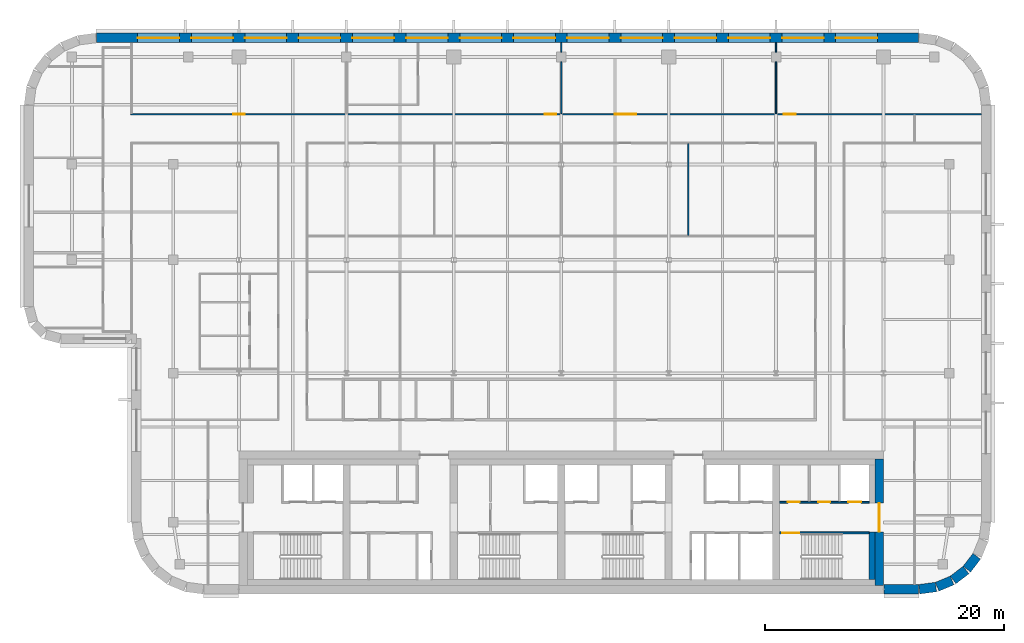
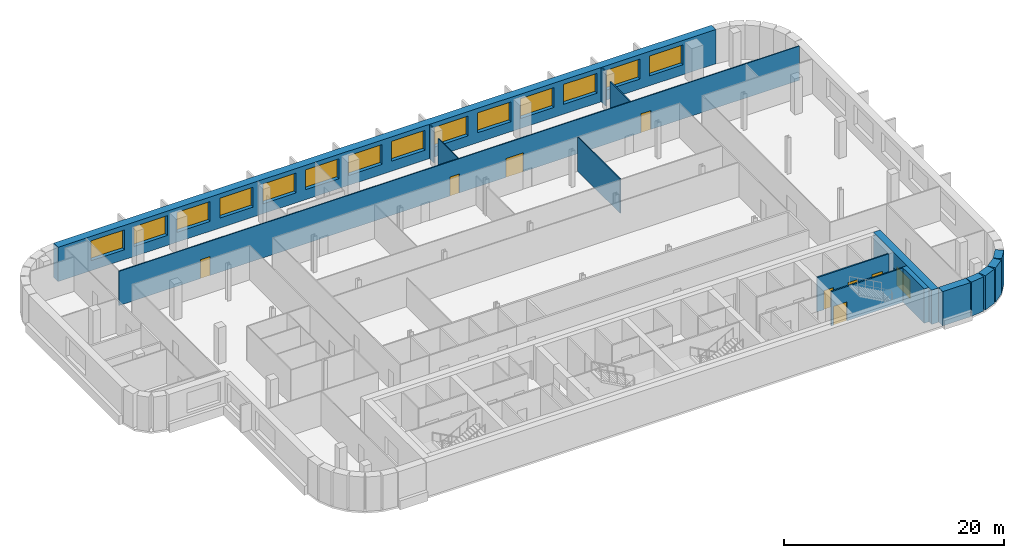
# One storey, part 11 of 16: 16 walls, 14 windows, 9 doors, 23 openings.
"""IFC4 building model written with IfcOpenShell, lengths in metres."""

from ifc_helpers import new_model, si_unit, direction, frame, frame_2d, origin, place, context, subcontext, project, spatial, rectangle, extrude, material, layer, layer_set, type_object, element, fill, save


model = new_model("IFC4")

# Units and contexts
model_context = context("Model", 3, precision=1e-05, world=origin(), true_north=direction((0.0, 1.0)))
body_context = subcontext(model_context, "Body", "Model", "MODEL_VIEW")
ifc_project = project(units=[si_unit("LENGTHUNIT", "METRE"), si_unit("AREAUNIT", "SQUARE_METRE"), si_unit("VOLUMEUNIT", "CUBIC_METRE"), si_unit("PLANEANGLEUNIT", "RADIAN"), si_unit("MASSUNIT", "GRAM", prefix="KILO")], contexts=[model_context])

# Site, building, storey
site_placement = place(None, origin())
site = spatial("IfcSite", under=ifc_project, at=site_placement, CompositionType="ELEMENT")
building_placement = place(site_placement, origin())
building = spatial("IfcBuilding", under=site, at=building_placement, Name="Zellij Exchange Tower", CompositionType="ELEMENT")
storey_placement = place(building_placement, frame((0.0, 0.0, 236.5)))
storey = spatial("IfcBuildingStorey", under=building, at=storey_placement, Name="L55", CompositionType="ELEMENT", Elevation=236.5)

# Wall
ifc_material_1 = material(Name="Concrete C30/37", Category="concrete")
ifc_layer_1 = layer(ifc_material_1, 0.5)
ifc_layer_set_1 = layer_set([ifc_layer_1], Name="Concrete C30/37")
wall_type_1 = type_object("IfcWallType", Name="CORE-LW 500 C30/37", PredefinedType="SHEAR", material=ifc_layer_set_1)
wall_1_placement = place(storey_placement, frame((26.050048828125, -12.800048828125, 0.0), z_axis=(0.0, 0.0, 1.0), x_axis=(0.0, 1.0, 0.0)))
element("IfcWall", 1, at=wall_1_placement, inside=storey, type_object=wall_type_1, Name="Core wall lining end e.0 L55", PredefinedType="SHEAR", context=body_context, shape_type="SweptSolid", body=[
    extrude(rectangle(XDim=4.0, YDim=0.5, at=frame_2d((2.0, 0.0))), origin(), (0.0, 0.0, 1.0), 3.800048828125),
])

# Wall, openings, doors
ifc_material_2 = material(Name="Gypsum shaft wall system")
ifc_layer_2 = layer(ifc_material_2, 0.14990234375)
ifc_layer_set_2 = layer_set([ifc_layer_2], Name="Gypsum shaft wall system")
wall_type_2 = type_object("IfcWallType", Name="CORE-PW 150 Lift shaft wall", PredefinedType="PARTITIONING", material=ifc_layer_set_2)
wall_2_placement = place(storey_placement, frame((18.300048828125, -6.300048828125, 0.0), z_axis=(0.0, 0.0, 1.0), x_axis=(1.0, 0.0, 0.0)))
wall_2 = element("IfcWall", 2, at=wall_2_placement, inside=storey, type_object=wall_type_2, Name="Lift shaft wall L55", PredefinedType="PARTITIONING", context=body_context, shape_type="SweptSolid", body=[
    extrude(rectangle(XDim=7.5, YDim=0.14990234375, at=frame_2d((3.75, 0.0))), origin(), (0.0, 0.0, 1.0), 3.800048828125),
])
opening_1_placement = place(wall_2_placement, frame((0.699951171875, 0.0, 0.0)))
opening_1 = element("IfcOpeningElement", 3, at=opening_1_placement, cuts=wall_2, Name="Opening CA-29.25", PredefinedType="OPENING", context=body_context, shape_type="SweptSolid", body=[
    extrude(rectangle(XDim=1.0, YDim=2.10009765625, at=frame_2d((0.5, 1.050048828125))), frame((0.0, 0.0869140625, 0.0), z_axis=(0.0, -1.0, 0.0), x_axis=(1.0, 0.0, 0.0)), (0.0, 0.0, 1.0), 0.173828125),
])
opening_2_placement = place(wall_2_placement, frame((3.25, 0.0, 0.0)))
opening_2 = element("IfcOpeningElement", 4, at=opening_2_placement, cuts=wall_2, Name="Opening CA-29.26", PredefinedType="OPENING", context=body_context, shape_type="SweptSolid", body=[
    extrude(rectangle(XDim=1.0, YDim=2.10009765625, at=frame_2d((0.5, 1.050048828125))), frame((0.0, 0.0869140625, 0.0), z_axis=(0.0, -1.0, 0.0), x_axis=(1.0, 0.0, 0.0)), (0.0, 0.0, 1.0), 0.173828125),
])
opening_3_placement = place(wall_2_placement, frame((5.75, 0.0, 0.0)))
opening_3 = element("IfcOpeningElement", 5, at=opening_3_placement, cuts=wall_2, Name="Opening CA-29.27", PredefinedType="OPENING", context=body_context, shape_type="SweptSolid", body=[
    extrude(rectangle(XDim=1.10009765625, YDim=2.10009765625, at=frame_2d((0.550048828125, 1.050048828125))), frame((0.0, 0.0869140625, 0.0), z_axis=(0.0, -1.0, 0.0), x_axis=(1.0, 0.0, 0.0)), (0.0, 0.0, 1.0), 0.173828125),
])
ifc_material_3 = material(Name="Hollow metal fire door")
door_type_1 = type_object("IfcDoorType", Name="CORE-D CD Core room door 1000x2100 1 HR", OperationType="NOTDEFINED", PredefinedType="DOOR", material=ifc_material_3)
door_1_placement = place(opening_1_placement, origin())
door_1 = element("IfcDoor", 6, at=door_1_placement, inside=storey, type_object=door_type_1, Name="Core room door CA-29.25", OperationType="SINGLE_SWING_LEFT", OverallHeight=2.10009765625, OverallWidth=1.0, PredefinedType="DOOR", context=body_context, shape_type="SweptSolid", body=[
    extrude(rectangle(XDim=1.0, YDim=2.10009765625, at=frame_2d((0.5, 1.050048828125))), frame((0.0, 0.02490234375, 0.0), z_axis=(0.0, -1.0, 0.0), x_axis=(1.0, 0.0, 0.0)), (0.0, 0.0, 1.0), 0.050048828125),
])
fill(opening_1, door_1)
door_type_2 = type_object("IfcDoorType", Name="CORE-D CDA Core room door 1000x2100 1.5 HR", OperationType="NOTDEFINED", PredefinedType="DOOR", material=ifc_material_3)
door_2_placement = place(opening_2_placement, origin())
door_2 = element("IfcDoor", 7, at=door_2_placement, inside=storey, type_object=door_type_2, Name="Core room door CA-29.26", OperationType="SINGLE_SWING_LEFT", OverallHeight=2.10009765625, OverallWidth=1.0, PredefinedType="DOOR", context=body_context, shape_type="SweptSolid", body=[
    extrude(rectangle(XDim=1.0, YDim=2.10009765625, at=frame_2d((0.5, 1.050048828125))), frame((0.0, 0.02490234375, 0.0), z_axis=(0.0, -1.0, 0.0), x_axis=(1.0, 0.0, 0.0)), (0.0, 0.0, 1.0), 0.050048828125),
])
fill(opening_2, door_2)
door_type_3 = type_object("IfcDoorType", Name="CORE-D LD Lift landing door 1100x2100 1.5 HR", OperationType="NOTDEFINED", PredefinedType="DOOR", material=ifc_material_3)
door_3_placement = place(opening_3_placement, origin())
door_3 = element("IfcDoor", 8, at=door_3_placement, inside=storey, type_object=door_type_3, Name="Lift landing door CA-29.27", OperationType="SLIDING_TO_LEFT", OverallHeight=2.10009765625, OverallWidth=1.10009765625, PredefinedType="DOOR", context=body_context, shape_type="SweptSolid", body=[
    extrude(rectangle(XDim=1.10009765625, YDim=2.10009765625, at=frame_2d((0.550048828125, 1.050048828125))), frame((0.0, 0.02490234375, 0.0), z_axis=(0.0, -1.0, 0.0), x_axis=(1.0, 0.0, 0.0)), (0.0, 0.0, 1.0), 0.050048828125),
])
fill(opening_3, door_3)

# Wall, opening, door
ifc_material_4 = material(Name="Concrete C50/60", Category="concrete")
ifc_layer_3 = layer(ifc_material_4, 0.699951171875)
ifc_layer_set_3 = layer_set([ifc_layer_3], Name="Concrete C50/60")
wall_type_3 = type_object("IfcWallType", Name="CORE-SW 700 C50/60", PredefinedType="SHEAR", material=ifc_layer_set_3)
wall_3_placement = place(storey_placement, frame((26.64990234375, -13.300048828125, 0.0), z_axis=(0.0, 0.0, 1.0), x_axis=(0.0, 1.0, 0.0)))
wall_3 = element("IfcWall", 9, at=wall_3_placement, inside=storey, type_object=wall_type_3, Name="Core shear wall end e L55", PredefinedType="SHEAR", context=body_context, shape_type="SweptSolid", body=[
    extrude(rectangle(XDim=10.60009765625, YDim=0.699951171875, at=frame_2d((5.300048828125, 0.0))), origin(), (0.0, 0.0, 1.0), 3.800048828125),
])
opening_4_placement = place(wall_3_placement, frame((4.511962890625, 0.0, 0.0)))
opening_4 = element("IfcOpeningElement", 10, at=opening_4_placement, cuts=wall_3, Name="Opening CA-29.28", PredefinedType="OPENING", context=body_context, shape_type="SweptSolid", body=[
    extrude(rectangle(XDim=2.39990234375, YDim=2.10009765625, at=frame_2d((1.199951171875, 1.050048828125))), frame((0.0, 0.36181640625, 0.0), z_axis=(0.0, -1.0, 0.0), x_axis=(1.0, 0.0, 0.0)), (0.0, 0.0, 1.0), 0.723876953125),
])
door_type_4 = type_object("IfcDoorType", Name="CORE-D CE Core entrance door 2400x2100 20 MIN", OperationType="NOTDEFINED", PredefinedType="DOOR", material=ifc_material_3)
door_4_placement = place(opening_4_placement, origin())
door_4 = element("IfcDoor", 11, at=door_4_placement, inside=storey, type_object=door_type_4, Name="Core entrance door CA-29.28", OperationType="DOUBLE_DOOR_SINGLE_SWING", OverallHeight=2.10009765625, OverallWidth=2.39990234375, PredefinedType="DOOR", context=body_context, shape_type="SweptSolid", body=[
    extrude(rectangle(XDim=2.39990234375, YDim=2.10009765625, at=frame_2d((1.199951171875, 1.050048828125))), frame((0.0, 0.02490234375, 0.0), z_axis=(0.0, -1.0, 0.0), x_axis=(1.0, 0.0, 0.0)), (0.0, 0.0, 1.0), 0.050048828125),
])
fill(opening_4, door_4)

ifc_layer_4 = layer(ifc_material_4, 0.14990234375)
ifc_layer_set_4 = layer_set([ifc_layer_4], Name="Concrete C50/60")
wall_type_4 = type_object("IfcWallType", Name="CORE-SWS 150 C50/60", PredefinedType="SHEAR", material=ifc_layer_set_4)
wall_4_placement = place(storey_placement, frame((18.300048828125, -8.875, 0.0), z_axis=(0.0, 0.0, 1.0), x_axis=(1.0, 0.0, 0.0)))
wall_4 = element("IfcWall", 12, at=wall_4_placement, inside=storey, type_object=wall_type_4, Name="Stair enclosure wall L55", PredefinedType="SHEAR", context=body_context, shape_type="SweptSolid", body=[
    extrude(rectangle(XDim=7.5, YDim=0.14990234375, at=frame_2d((3.75, 0.0))), origin(), (0.0, 0.0, 1.0), 3.800048828125),
])
opening_5_placement = place(wall_4_placement, frame((0.22509765625, 0.0, 0.0)))
opening_5 = element("IfcOpeningElement", 13, at=opening_5_placement, cuts=wall_4, Name="Opening CA-29.24", PredefinedType="OPENING", context=body_context, shape_type="SweptSolid", body=[
    extrude(rectangle(XDim=1.39990234375, YDim=2.10009765625, at=frame_2d((0.699951171875, 1.050048828125))), frame((0.0, 0.0869140625, 0.0), z_axis=(0.0, -1.0, 0.0), x_axis=(1.0, 0.0, 0.0)), (0.0, 0.0, 1.0), 0.173828125),
])
door_type_5 = type_object("IfcDoorType", Name="CORE-D SD Stair door 1400x2100 1.5 HR", OperationType="NOTDEFINED", PredefinedType="DOOR", material=ifc_material_3)
door_5_placement = place(opening_5_placement, origin())
door_5 = element("IfcDoor", 14, at=door_5_placement, inside=storey, type_object=door_type_5, Name="Stair door CA-29.24", OperationType="DOUBLE_DOOR_SINGLE_SWING", OverallHeight=2.10009765625, OverallWidth=1.39990234375, PredefinedType="DOOR", context=body_context, shape_type="SweptSolid", body=[
    extrude(rectangle(XDim=1.39990234375, YDim=2.10009765625, at=frame_2d((0.699951171875, 1.050048828125))), frame((0.0, 0.02490234375, 0.0), z_axis=(0.0, -1.0, 0.0), x_axis=(1.0, 0.0, 0.0)), (0.0, 0.0, 1.0), 0.050048828125),
])
fill(opening_5, door_5)

# Walls
ifc_material_5 = material(Name="Precast concrete C40/50", Category="concrete")
ifc_layer_5 = layer(ifc_material_5, 0.800048828125)
ifc_layer_set_5 = layer_set([ifc_layer_5], Name="Precast concrete C40/50")
wall_type_5 = type_object("IfcWallType", Name="ENV-EW1 Precast stone-piered wall 800", PredefinedType="SOLIDWALL", material=ifc_layer_set_5)
wall_5_placement = place(storey_placement, frame((27.050048828125, -13.60009765625, 0.0), z_axis=(0.0, 0.0, 1.0), x_axis=(1.0, 0.0, 0.0)))
element("IfcWall", 15, at=wall_5_placement, inside=storey, type_object=wall_type_5, Name="fac.L55.00b", PredefinedType="SOLIDWALL", context=body_context, shape_type="SweptSolid", body=[
    extrude(rectangle(XDim=2.8974609375, YDim=0.800048828125, at=frame_2d((1.44873046875, 0.0))), origin(), (0.0, 0.0, 1.0), 3.800048828125),
])
wall_6_placement = place(storey_placement, frame((29.999755859375, -13.5966796875, 0.0), z_axis=(0.0, 0.0, 1.0), x_axis=(0.99144603414, 0.130517283865, 0.0)))
element("IfcWall", 16, at=wall_6_placement, inside=storey, type_object=wall_type_5, Name="fac.L55.01", PredefinedType="SOLIDWALL", context=body_context, shape_type="SweptSolid", body=[
    extrude(rectangle(XDim=1.408447265625, YDim=0.800048828125, at=frame_2d((0.7041015625, 0.0))), origin(), (0.0, 0.0, 1.0), 3.800048828125),
])
wall_7_placement = place(storey_placement, frame((31.497314453125, -13.3857421875, 0.0), z_axis=(0.0, 0.0, 1.0), x_axis=(0.923847774587, 0.38276009378, 0.0)))
element("IfcWall", 17, at=wall_7_placement, inside=storey, type_object=wall_type_5, Name="fac.L55.02", PredefinedType="SOLIDWALL", context=body_context, shape_type="SweptSolid", body=[
    extrude(rectangle(XDim=1.35546875, YDim=0.800048828125, at=frame_2d((0.677734375, 0.0))), origin(), (0.0, 0.0, 1.0), 3.800048828125),
])
for number, where, z_axis, x_axis, name in (
    (18, (32.840087890625, -12.814697265625, 0.0), (0.0, 0.0, 1.0), (0.793272915452, 0.608866226366, 0.0), "fac.L55.03"),
    (19, (33.9892578125, -11.91552734375, 0.0), (0.0, 0.0, 1.0), (0.608866226366, 0.793272915452, 0.0), "fac.L55.04"),
):
    element("IfcWall", number, at=place(storey_placement, frame(where, z_axis=z_axis, x_axis=x_axis)), inside=storey, type_object=wall_type_5, Name=name, PredefinedType="SOLIDWALL", context=body_context, shape_type="SweptSolid", body=[
        extrude(rectangle(XDim=1.355712890625, YDim=0.800048828125, at=frame_2d((0.677734375, 0.0))), origin(), (0.0, 0.0, 1.0), 3.800048828125),
    ])

# Wall, openings, windows
wall_8_placement = place(storey_placement, frame((29.947509765625, 32.60009765625, 0.0), z_axis=(0.0, 0.0, 1.0), x_axis=(-1.0, 0.0, 0.0)))
wall_8 = element("IfcWall", 20, at=wall_8_placement, inside=storey, type_object=wall_type_5, Name="fac.L55.14", PredefinedType="SOLIDWALL", context=body_context, shape_type="SweptSolid", body=[
    extrude(rectangle(XDim=68.89501953125, YDim=0.800048828125, at=frame_2d((34.447509765625, 0.0))), origin(), (0.0, 0.0, 1.0), 3.800048828125),
])
opening_6_placement = place(wall_8_placement, frame((3.447509765625, 0.0, 1.10009765625)))
opening_6 = element("IfcOpeningElement", 21, at=opening_6_placement, cuts=wall_8, Name="Opening FZ4.06", PredefinedType="OPENING", context=body_context, shape_type="SweptSolid", body=[
    extrude(rectangle(XDim=3.5, YDim=2.199951171875, at=frame_2d((1.75, 1.10009765625))), frame((0.0, 0.412109375, 0.0), z_axis=(0.0, -1.0, 0.0), x_axis=(1.0, 0.0, 0.0)), (0.0, 0.0, 1.0), 0.823974609375),
])
opening_7_placement = place(wall_8_placement, frame((7.947509765625, 0.0, 1.10009765625)))
opening_7 = element("IfcOpeningElement", 22, at=opening_7_placement, cuts=wall_8, Name="Opening FZ4.07", PredefinedType="OPENING", context=body_context, shape_type="SweptSolid", body=[
    extrude(rectangle(XDim=3.5, YDim=2.199951171875, at=frame_2d((1.75, 1.10009765625))), frame((0.0, 0.412109375, 0.0), z_axis=(0.0, -1.0, 0.0), x_axis=(1.0, 0.0, 0.0)), (0.0, 0.0, 1.0), 0.823974609375),
])
opening_8_placement = place(wall_8_placement, frame((12.447509765625, 0.0, 1.10009765625)))
opening_8 = element("IfcOpeningElement", 23, at=opening_8_placement, cuts=wall_8, Name="Opening FZ4.08", PredefinedType="OPENING", context=body_context, shape_type="SweptSolid", body=[
    extrude(rectangle(XDim=3.5, YDim=2.199951171875, at=frame_2d((1.75, 1.10009765625))), frame((0.0, 0.412109375, 0.0), z_axis=(0.0, -1.0, 0.0), x_axis=(1.0, 0.0, 0.0)), (0.0, 0.0, 1.0), 0.823974609375),
])
opening_9_placement = place(wall_8_placement, frame((16.947509765625, 0.0, 1.10009765625)))
opening_9 = element("IfcOpeningElement", 24, at=opening_9_placement, cuts=wall_8, Name="Opening FZ4.09", PredefinedType="OPENING", context=body_context, shape_type="SweptSolid", body=[
    extrude(rectangle(XDim=3.5, YDim=2.199951171875, at=frame_2d((1.75, 1.10009765625))), frame((0.0, 0.412109375, 0.0), z_axis=(0.0, -1.0, 0.0), x_axis=(1.0, 0.0, 0.0)), (0.0, 0.0, 1.0), 0.823974609375),
])
opening_10_placement = place(wall_8_placement, frame((21.447509765625, 0.0, 1.10009765625)))
opening_10 = element("IfcOpeningElement", 25, at=opening_10_placement, cuts=wall_8, Name="Opening FZ4.10", PredefinedType="OPENING", context=body_context, shape_type="SweptSolid", body=[
    extrude(rectangle(XDim=3.5, YDim=2.199951171875, at=frame_2d((1.75, 1.10009765625))), frame((0.0, 0.412109375, 0.0), z_axis=(0.0, -1.0, 0.0), x_axis=(1.0, 0.0, 0.0)), (0.0, 0.0, 1.0), 0.823974609375),
])
opening_11_placement = place(wall_8_placement, frame((25.947509765625, 0.0, 1.10009765625)))
opening_11 = element("IfcOpeningElement", 26, at=opening_11_placement, cuts=wall_8, Name="Opening FZ4.11", PredefinedType="OPENING", context=body_context, shape_type="SweptSolid", body=[
    extrude(rectangle(XDim=3.5, YDim=2.199951171875, at=frame_2d((1.75, 1.10009765625))), frame((0.0, 0.412109375, 0.0), z_axis=(0.0, -1.0, 0.0), x_axis=(1.0, 0.0, 0.0)), (0.0, 0.0, 1.0), 0.823974609375),
])
opening_12_placement = place(wall_8_placement, frame((30.447509765625, 0.0, 1.10009765625)))
opening_12 = element("IfcOpeningElement", 27, at=opening_12_placement, cuts=wall_8, Name="Opening FZ4.12", PredefinedType="OPENING", context=body_context, shape_type="SweptSolid", body=[
    extrude(rectangle(XDim=3.5, YDim=2.199951171875, at=frame_2d((1.75, 1.10009765625))), frame((0.0, 0.412109375, 0.0), z_axis=(0.0, -1.0, 0.0), x_axis=(1.0, 0.0, 0.0)), (0.0, 0.0, 1.0), 0.823974609375),
])
opening_13_placement = place(wall_8_placement, frame((34.947509765625, 0.0, 1.10009765625)))
opening_13 = element("IfcOpeningElement", 28, at=opening_13_placement, cuts=wall_8, Name="Opening FZ4.13", PredefinedType="OPENING", context=body_context, shape_type="SweptSolid", body=[
    extrude(rectangle(XDim=3.5, YDim=2.199951171875, at=frame_2d((1.75, 1.10009765625))), frame((0.0, 0.412109375, 0.0), z_axis=(0.0, -1.0, 0.0), x_axis=(1.0, 0.0, 0.0)), (0.0, 0.0, 1.0), 0.823974609375),
])
opening_14_placement = place(wall_8_placement, frame((39.447509765625, 0.0, 1.10009765625)))
opening_14 = element("IfcOpeningElement", 29, at=opening_14_placement, cuts=wall_8, Name="Opening FZ4.14", PredefinedType="OPENING", context=body_context, shape_type="SweptSolid", body=[
    extrude(rectangle(XDim=3.5, YDim=2.199951171875, at=frame_2d((1.75, 1.10009765625))), frame((0.0, 0.412109375, 0.0), z_axis=(0.0, -1.0, 0.0), x_axis=(1.0, 0.0, 0.0)), (0.0, 0.0, 1.0), 0.823974609375),
])
opening_15_placement = place(wall_8_placement, frame((43.947509765625, 0.0, 1.10009765625)))
opening_15 = element("IfcOpeningElement", 30, at=opening_15_placement, cuts=wall_8, Name="Opening FZ4.15", PredefinedType="OPENING", context=body_context, shape_type="SweptSolid", body=[
    extrude(rectangle(XDim=3.5, YDim=2.199951171875, at=frame_2d((1.75, 1.10009765625))), frame((0.0, 0.412109375, 0.0), z_axis=(0.0, -1.0, 0.0), x_axis=(1.0, 0.0, 0.0)), (0.0, 0.0, 1.0), 0.823974609375),
])
opening_16_placement = place(wall_8_placement, frame((48.447509765625, 0.0, 1.10009765625)))
opening_16 = element("IfcOpeningElement", 31, at=opening_16_placement, cuts=wall_8, Name="Opening FZ4.16", PredefinedType="OPENING", context=body_context, shape_type="SweptSolid", body=[
    extrude(rectangle(XDim=3.5, YDim=2.199951171875, at=frame_2d((1.75, 1.10009765625))), frame((0.0, 0.412109375, 0.0), z_axis=(0.0, -1.0, 0.0), x_axis=(1.0, 0.0, 0.0)), (0.0, 0.0, 1.0), 0.823974609375),
])
opening_17_placement = place(wall_8_placement, frame((52.947509765625, 0.0, 1.10009765625)))
opening_17 = element("IfcOpeningElement", 32, at=opening_17_placement, cuts=wall_8, Name="Opening FZ4.17", PredefinedType="OPENING", context=body_context, shape_type="SweptSolid", body=[
    extrude(rectangle(XDim=3.5, YDim=2.199951171875, at=frame_2d((1.75, 1.10009765625))), frame((0.0, 0.412109375, 0.0), z_axis=(0.0, -1.0, 0.0), x_axis=(1.0, 0.0, 0.0)), (0.0, 0.0, 1.0), 0.823974609375),
])
opening_18_placement = place(wall_8_placement, frame((57.447509765625, 0.0, 1.10009765625)))
opening_18 = element("IfcOpeningElement", 33, at=opening_18_placement, cuts=wall_8, Name="Opening FZ4.18", PredefinedType="OPENING", context=body_context, shape_type="SweptSolid", body=[
    extrude(rectangle(XDim=3.5, YDim=2.199951171875, at=frame_2d((1.75, 1.10009765625))), frame((0.0, 0.412109375, 0.0), z_axis=(0.0, -1.0, 0.0), x_axis=(1.0, 0.0, 0.0)), (0.0, 0.0, 1.0), 0.823974609375),
])
opening_19_placement = place(wall_8_placement, frame((61.947509765625, 0.0, 1.10009765625)))
opening_19 = element("IfcOpeningElement", 34, at=opening_19_placement, cuts=wall_8, Name="Opening FZ4.19", PredefinedType="OPENING", context=body_context, shape_type="SweptSolid", body=[
    extrude(rectangle(XDim=3.5, YDim=2.199951171875, at=frame_2d((1.75, 1.10009765625))), frame((0.0, 0.412109375, 0.0), z_axis=(0.0, -1.0, 0.0), x_axis=(1.0, 0.0, 0.0)), (0.0, 0.0, 1.0), 0.823974609375),
])
ifc_material_6 = material(Name="Aluminium frame with insulating glass", Category="aluminium")
window_type = type_object("IfcWindowType", Name="ENV-W7 Window 3500x2200", PartitioningType="SINGLE_PANEL", PredefinedType="WINDOW", material=ifc_material_6)
window_1_placement = place(opening_6_placement, origin())
window_1 = element("IfcWindow", 35, at=window_1_placement, inside=storey, type_object=window_type, Name="Window FZ4.06", OverallHeight=2.199951171875, OverallWidth=3.5, PartitioningType="SINGLE_PANEL", PredefinedType="WINDOW", context=body_context, shape_type="SweptSolid", body=[
    extrude(rectangle(XDim=3.5, YDim=2.199951171875, at=frame_2d((1.75, 1.10009765625))), frame((0.0, 0.030029296875, 0.0), z_axis=(0.0, -1.0, 0.0), x_axis=(1.0, 0.0, 0.0)), (0.0, 0.0, 1.0), 0.06005859375),
])
fill(opening_6, window_1)
window_2_placement = place(opening_7_placement, origin())
window_2 = element("IfcWindow", 36, at=window_2_placement, inside=storey, type_object=window_type, Name="Window FZ4.07", OverallHeight=2.199951171875, OverallWidth=3.5, PartitioningType="SINGLE_PANEL", PredefinedType="WINDOW", context=body_context, shape_type="SweptSolid", body=[
    extrude(rectangle(XDim=3.5, YDim=2.199951171875, at=frame_2d((1.75, 1.10009765625))), frame((0.0, 0.030029296875, 0.0), z_axis=(0.0, -1.0, 0.0), x_axis=(1.0, 0.0, 0.0)), (0.0, 0.0, 1.0), 0.06005859375),
])
fill(opening_7, window_2)
window_3_placement = place(opening_8_placement, origin())
window_3 = element("IfcWindow", 37, at=window_3_placement, inside=storey, type_object=window_type, Name="Window FZ4.08", OverallHeight=2.199951171875, OverallWidth=3.5, PartitioningType="SINGLE_PANEL", PredefinedType="WINDOW", context=body_context, shape_type="SweptSolid", body=[
    extrude(rectangle(XDim=3.5, YDim=2.199951171875, at=frame_2d((1.75, 1.10009765625))), frame((0.0, 0.030029296875, 0.0), z_axis=(0.0, -1.0, 0.0), x_axis=(1.0, 0.0, 0.0)), (0.0, 0.0, 1.0), 0.06005859375),
])
fill(opening_8, window_3)
window_4_placement = place(opening_9_placement, origin())
window_4 = element("IfcWindow", 38, at=window_4_placement, inside=storey, type_object=window_type, Name="Window FZ4.09", OverallHeight=2.199951171875, OverallWidth=3.5, PartitioningType="SINGLE_PANEL", PredefinedType="WINDOW", context=body_context, shape_type="SweptSolid", body=[
    extrude(rectangle(XDim=3.5, YDim=2.199951171875, at=frame_2d((1.75, 1.10009765625))), frame((0.0, 0.030029296875, 0.0), z_axis=(0.0, -1.0, 0.0), x_axis=(1.0, 0.0, 0.0)), (0.0, 0.0, 1.0), 0.06005859375),
])
fill(opening_9, window_4)
window_5_placement = place(opening_10_placement, origin())
window_5 = element("IfcWindow", 39, at=window_5_placement, inside=storey, type_object=window_type, Name="Window FZ4.10", OverallHeight=2.199951171875, OverallWidth=3.5, PartitioningType="SINGLE_PANEL", PredefinedType="WINDOW", context=body_context, shape_type="SweptSolid", body=[
    extrude(rectangle(XDim=3.5, YDim=2.199951171875, at=frame_2d((1.75, 1.10009765625))), frame((0.0, 0.030029296875, 0.0), z_axis=(0.0, -1.0, 0.0), x_axis=(1.0, 0.0, 0.0)), (0.0, 0.0, 1.0), 0.06005859375),
])
fill(opening_10, window_5)
window_6_placement = place(opening_11_placement, origin())
window_6 = element("IfcWindow", 40, at=window_6_placement, inside=storey, type_object=window_type, Name="Window FZ4.11", OverallHeight=2.199951171875, OverallWidth=3.5, PartitioningType="SINGLE_PANEL", PredefinedType="WINDOW", context=body_context, shape_type="SweptSolid", body=[
    extrude(rectangle(XDim=3.5, YDim=2.199951171875, at=frame_2d((1.75, 1.10009765625))), frame((0.0, 0.030029296875, 0.0), z_axis=(0.0, -1.0, 0.0), x_axis=(1.0, 0.0, 0.0)), (0.0, 0.0, 1.0), 0.06005859375),
])
fill(opening_11, window_6)
window_7_placement = place(opening_12_placement, origin())
window_7 = element("IfcWindow", 41, at=window_7_placement, inside=storey, type_object=window_type, Name="Window FZ4.12", OverallHeight=2.199951171875, OverallWidth=3.5, PartitioningType="SINGLE_PANEL", PredefinedType="WINDOW", context=body_context, shape_type="SweptSolid", body=[
    extrude(rectangle(XDim=3.5, YDim=2.199951171875, at=frame_2d((1.75, 1.10009765625))), frame((0.0, 0.030029296875, 0.0), z_axis=(0.0, -1.0, 0.0), x_axis=(1.0, 0.0, 0.0)), (0.0, 0.0, 1.0), 0.06005859375),
])
fill(opening_12, window_7)
window_8_placement = place(opening_13_placement, origin())
window_8 = element("IfcWindow", 42, at=window_8_placement, inside=storey, type_object=window_type, Name="Window FZ4.13", OverallHeight=2.199951171875, OverallWidth=3.5, PartitioningType="SINGLE_PANEL", PredefinedType="WINDOW", context=body_context, shape_type="SweptSolid", body=[
    extrude(rectangle(XDim=3.5, YDim=2.199951171875, at=frame_2d((1.75, 1.10009765625))), frame((0.0, 0.030029296875, 0.0), z_axis=(0.0, -1.0, 0.0), x_axis=(1.0, 0.0, 0.0)), (0.0, 0.0, 1.0), 0.06005859375),
])
fill(opening_13, window_8)
window_9_placement = place(opening_14_placement, origin())
window_9 = element("IfcWindow", 43, at=window_9_placement, inside=storey, type_object=window_type, Name="Window FZ4.14", OverallHeight=2.199951171875, OverallWidth=3.5, PartitioningType="SINGLE_PANEL", PredefinedType="WINDOW", context=body_context, shape_type="SweptSolid", body=[
    extrude(rectangle(XDim=3.5, YDim=2.199951171875, at=frame_2d((1.75, 1.10009765625))), frame((0.0, 0.030029296875, 0.0), z_axis=(0.0, -1.0, 0.0), x_axis=(1.0, 0.0, 0.0)), (0.0, 0.0, 1.0), 0.06005859375),
])
fill(opening_14, window_9)
window_10_placement = place(opening_15_placement, origin())
window_10 = element("IfcWindow", 44, at=window_10_placement, inside=storey, type_object=window_type, Name="Window FZ4.15", OverallHeight=2.199951171875, OverallWidth=3.5, PartitioningType="SINGLE_PANEL", PredefinedType="WINDOW", context=body_context, shape_type="SweptSolid", body=[
    extrude(rectangle(XDim=3.5, YDim=2.199951171875, at=frame_2d((1.75, 1.10009765625))), frame((0.0, 0.030029296875, 0.0), z_axis=(0.0, -1.0, 0.0), x_axis=(1.0, 0.0, 0.0)), (0.0, 0.0, 1.0), 0.06005859375),
])
fill(opening_15, window_10)
window_11_placement = place(opening_16_placement, origin())
window_11 = element("IfcWindow", 45, at=window_11_placement, inside=storey, type_object=window_type, Name="Window FZ4.16", OverallHeight=2.199951171875, OverallWidth=3.5, PartitioningType="SINGLE_PANEL", PredefinedType="WINDOW", context=body_context, shape_type="SweptSolid", body=[
    extrude(rectangle(XDim=3.5, YDim=2.199951171875, at=frame_2d((1.75, 1.10009765625))), frame((0.0, 0.030029296875, 0.0), z_axis=(0.0, -1.0, 0.0), x_axis=(1.0, 0.0, 0.0)), (0.0, 0.0, 1.0), 0.06005859375),
])
fill(opening_16, window_11)
window_12_placement = place(opening_17_placement, origin())
window_12 = element("IfcWindow", 46, at=window_12_placement, inside=storey, type_object=window_type, Name="Window FZ4.17", OverallHeight=2.199951171875, OverallWidth=3.5, PartitioningType="SINGLE_PANEL", PredefinedType="WINDOW", context=body_context, shape_type="SweptSolid", body=[
    extrude(rectangle(XDim=3.5, YDim=2.199951171875, at=frame_2d((1.75, 1.10009765625))), frame((0.0, 0.030029296875, 0.0), z_axis=(0.0, -1.0, 0.0), x_axis=(1.0, 0.0, 0.0)), (0.0, 0.0, 1.0), 0.06005859375),
])
fill(opening_17, window_12)
window_13_placement = place(opening_18_placement, origin())
window_13 = element("IfcWindow", 47, at=window_13_placement, inside=storey, type_object=window_type, Name="Window FZ4.18", OverallHeight=2.199951171875, OverallWidth=3.5, PartitioningType="SINGLE_PANEL", PredefinedType="WINDOW", context=body_context, shape_type="SweptSolid", body=[
    extrude(rectangle(XDim=3.5, YDim=2.199951171875, at=frame_2d((1.75, 1.10009765625))), frame((0.0, 0.030029296875, 0.0), z_axis=(0.0, -1.0, 0.0), x_axis=(1.0, 0.0, 0.0)), (0.0, 0.0, 1.0), 0.06005859375),
])
fill(opening_18, window_13)
window_14_placement = place(opening_19_placement, origin())
window_14 = element("IfcWindow", 48, at=window_14_placement, inside=storey, type_object=window_type, Name="Window FZ4.19", OverallHeight=2.199951171875, OverallWidth=3.5, PartitioningType="SINGLE_PANEL", PredefinedType="WINDOW", context=body_context, shape_type="SweptSolid", body=[
    extrude(rectangle(XDim=3.5, YDim=2.199951171875, at=frame_2d((1.75, 1.10009765625))), frame((0.0, 0.030029296875, 0.0), z_axis=(0.0, -1.0, 0.0), x_axis=(1.0, 0.0, 0.0)), (0.0, 0.0, 1.0), 0.06005859375),
])
fill(opening_19, window_14)

# Wall
ifc_material_7 = material(Name="Gypsum board partition on steel studs", Category="steel")
ifc_layer_6 = layer(ifc_material_7, 0.10009765625)
ifc_layer_set_6 = layer_set([ifc_layer_6], Name="Gypsum board partition on steel studs")
wall_type_6 = type_object("IfcWallType", Name="FIT-PARTITION-100", PredefinedType="PARTITIONING", material=ifc_layer_set_6)
wall_9_placement = place(storey_placement, frame((10.64990234375, 16.050048828125, 0.0), z_axis=(0.0, 0.0, 1.0), x_axis=(0.0, 1.0, 0.0)))
element("IfcWall", 49, at=wall_9_placement, inside=storey, type_object=wall_type_6, Name="FIT-PARTITION-100 041", PredefinedType="PARTITIONING", context=body_context, shape_type="SweptSolid", body=[
    extrude(rectangle(XDim=7.699951171875, YDim=0.10009765625, at=frame_2d((3.85009765625, 0.0))), origin(), (0.0, 0.0, 1.0), 3.800048828125),
])

# Wall, openings, doors
wall_10_placement = place(storey_placement, frame((-36.050048828125, 26.199951171875, 0.0), z_axis=(0.0, 0.0, 1.0), x_axis=(1.0, 0.0, 0.0)))
wall_10 = element("IfcWall", 50, at=wall_10_placement, inside=storey, type_object=wall_type_6, Name="FIT-PARTITION-100 049", PredefinedType="PARTITIONING", context=body_context, shape_type="SweptSolid", body=[
    extrude(rectangle(XDim=71.25, YDim=0.10009765625, at=frame_2d((35.625, 0.0))), origin(), (0.0, 0.0, 1.0), 3.800048828125),
])
opening_20_placement = place(wall_10_placement, frame((8.550048828125, 0.0, 0.0)))
opening_20 = element("IfcOpeningElement", 51, at=opening_20_placement, cuts=wall_10, Name="Opening O4C.24", PredefinedType="OPENING", context=body_context, shape_type="SweptSolid", body=[
    extrude(rectangle(XDim=1.0, YDim=2.10009765625, at=frame_2d((0.5, 1.050048828125))), frame((0.0, 0.06201171875, 0.0), z_axis=(0.0, -1.0, 0.0), x_axis=(1.0, 0.0, 0.0)), (0.0, 0.0, 1.0), 0.1240234375),
])
opening_21_placement = place(wall_10_placement, frame((34.64990234375, 0.0, 0.0)))
opening_21 = element("IfcOpeningElement", 52, at=opening_21_placement, cuts=wall_10, Name="Opening O4C.25", PredefinedType="OPENING", context=body_context, shape_type="SweptSolid", body=[
    extrude(rectangle(XDim=1.0, YDim=2.10009765625, at=frame_2d((0.5, 1.050048828125))), frame((0.0, 0.06201171875, 0.0), z_axis=(0.0, -1.0, 0.0), x_axis=(1.0, 0.0, 0.0)), (0.0, 0.0, 1.0), 0.1240234375),
])
opening_22_placement = place(wall_10_placement, frame((40.550048828125, 0.0, 0.0)))
opening_22 = element("IfcOpeningElement", 53, at=opening_22_placement, cuts=wall_10, Name="Opening O4C.26", PredefinedType="OPENING", context=body_context, shape_type="SweptSolid", body=[
    extrude(rectangle(XDim=1.800048828125, YDim=2.10009765625, at=frame_2d((0.89990234375, 1.050048828125))), frame((0.0, 0.06201171875, 0.0), z_axis=(0.0, -1.0, 0.0), x_axis=(1.0, 0.0, 0.0)), (0.0, 0.0, 1.0), 0.1240234375),
])
opening_23_placement = place(wall_10_placement, frame((54.699951171875, 0.0, 0.0)))
opening_23 = element("IfcOpeningElement", 54, at=opening_23_placement, cuts=wall_10, Name="Opening O4C.27", PredefinedType="OPENING", context=body_context, shape_type="SweptSolid", body=[
    extrude(rectangle(XDim=1.0, YDim=2.10009765625, at=frame_2d((0.5, 1.050048828125))), frame((0.0, 0.06201171875, 0.0), z_axis=(0.0, -1.0, 0.0), x_axis=(1.0, 0.0, 0.0)), (0.0, 0.0, 1.0), 0.1240234375),
])
ifc_material_8 = material(Name="Timber door set", Category="wood")
door_type_6 = type_object("IfcDoorType", Name="FIT-D2-WIDE-1000X2100", OperationType="SINGLE_SWING_LEFT", PredefinedType="DOOR", material=ifc_material_8)
door_6_placement = place(opening_20_placement, origin())
door_6 = element("IfcDoor", 55, at=door_6_placement, inside=storey, type_object=door_type_6, Name="Door O4C.24", OperationType="SINGLE_SWING_RIGHT", OverallHeight=2.10009765625, OverallWidth=1.0, PredefinedType="DOOR", context=body_context, shape_type="SweptSolid", body=[
    extrude(rectangle(XDim=1.0, YDim=2.10009765625, at=frame_2d((0.5, 1.050048828125))), frame((0.0, 0.02490234375, 0.0), z_axis=(0.0, -1.0, 0.0), x_axis=(1.0, 0.0, 0.0)), (0.0, 0.0, 1.0), 0.050048828125),
])
fill(opening_20, door_6)
door_7_placement = place(opening_21_placement, origin())
door_7 = element("IfcDoor", 56, at=door_7_placement, inside=storey, type_object=door_type_6, Name="Door O4C.25", OperationType="SINGLE_SWING_LEFT", OverallHeight=2.10009765625, OverallWidth=1.0, PredefinedType="DOOR", context=body_context, shape_type="SweptSolid", body=[
    extrude(rectangle(XDim=1.0, YDim=2.10009765625, at=frame_2d((0.5, 1.050048828125))), frame((0.0, 0.02490234375, 0.0), z_axis=(0.0, -1.0, 0.0), x_axis=(1.0, 0.0, 0.0)), (0.0, 0.0, 1.0), 0.050048828125),
])
fill(opening_21, door_7)
door_8_placement = place(opening_23_placement, origin())
door_8 = element("IfcDoor", 57, at=door_8_placement, inside=storey, type_object=door_type_6, Name="Door O4C.27", OperationType="SINGLE_SWING_RIGHT", OverallHeight=2.10009765625, OverallWidth=1.0, PredefinedType="DOOR", context=body_context, shape_type="SweptSolid", body=[
    extrude(rectangle(XDim=1.0, YDim=2.10009765625, at=frame_2d((0.5, 1.050048828125))), frame((0.0, 0.02490234375, 0.0), z_axis=(0.0, -1.0, 0.0), x_axis=(1.0, 0.0, 0.0)), (0.0, 0.0, 1.0), 0.050048828125),
])
fill(opening_23, door_8)
door_type_7 = type_object("IfcDoorType", Name="FIT-D3-DOUBLE-1800X2100", OperationType="DOUBLE_DOOR_SINGLE_SWING", PredefinedType="DOOR", material=ifc_material_8)
door_9_placement = place(opening_22_placement, origin())
door_9 = element("IfcDoor", 58, at=door_9_placement, inside=storey, type_object=door_type_7, Name="Door O4C.26", OperationType="DOUBLE_DOOR_SINGLE_SWING", OverallHeight=2.10009765625, OverallWidth=1.800048828125, PredefinedType="DOOR", context=body_context, shape_type="SweptSolid", body=[
    extrude(rectangle(XDim=1.800048828125, YDim=2.10009765625, at=frame_2d((0.89990234375, 1.050048828125))), frame((0.0, 0.02490234375, 0.0), z_axis=(0.0, -1.0, 0.0), x_axis=(1.0, 0.0, 0.0)), (0.0, 0.0, 1.0), 0.050048828125),
])
fill(opening_22, door_9)

# Walls
wall_11_placement = place(storey_placement, frame((0.0, 26.25, 0.0), z_axis=(0.0, 0.0, 1.0), x_axis=(0.0, 1.0, 0.0)))
element("IfcWall", 59, at=wall_11_placement, inside=storey, type_object=wall_type_6, Name="FIT-PARTITION-100 053", PredefinedType="PARTITIONING", context=body_context, shape_type="SweptSolid", body=[
    extrude(rectangle(XDim=4.35009765625, YDim=0.10009765625, at=frame_2d((2.175048828125, 0.0))), origin(), (0.0, 0.0, 1.0), 3.19287109375),
])
wall_12_placement = place(storey_placement, frame((0.0, 31.39990234375, 0.0), z_axis=(0.0, 0.0, 1.0), x_axis=(0.0, 1.0, 0.0)))
element("IfcWall", 60, at=wall_12_placement, inside=storey, type_object=wall_type_6, Name="FIT-PARTITION-100 054", PredefinedType="PARTITIONING", context=body_context, shape_type="SweptSolid", body=[
    extrude(rectangle(XDim=0.800048828125, YDim=0.10009765625, at=frame_2d((0.39990234375, 0.0))), origin(), (0.0, 0.0, 1.0), 3.800048828125),
])
wall_13_placement = place(storey_placement, frame((18.0, 26.25, 0.0), z_axis=(0.0, 0.0, 1.0), x_axis=(0.0, 1.0, 0.0)))
element("IfcWall", 61, at=wall_13_placement, inside=storey, type_object=wall_type_6, Name="FIT-PARTITION-100 055", PredefinedType="PARTITIONING", context=body_context, shape_type="SweptSolid", body=[
    extrude(rectangle(XDim=4.35009765625, YDim=0.10009765625, at=frame_2d((2.175048828125, 0.0))), origin(), (0.0, 0.0, 1.0), 3.19287109375),
])
wall_14_placement = place(storey_placement, frame((18.0, 31.39990234375, 0.0), z_axis=(0.0, 0.0, 1.0), x_axis=(0.0, 1.0, 0.0)))
element("IfcWall", 62, at=wall_14_placement, inside=storey, type_object=wall_type_6, Name="FIT-PARTITION-100 056", PredefinedType="PARTITIONING", context=body_context, shape_type="SweptSolid", body=[
    extrude(rectangle(XDim=0.800048828125, YDim=0.10009765625, at=frame_2d((0.39990234375, 0.0))), origin(), (0.0, 0.0, 1.0), 3.800048828125),
])

save(model, "model.ifc")
